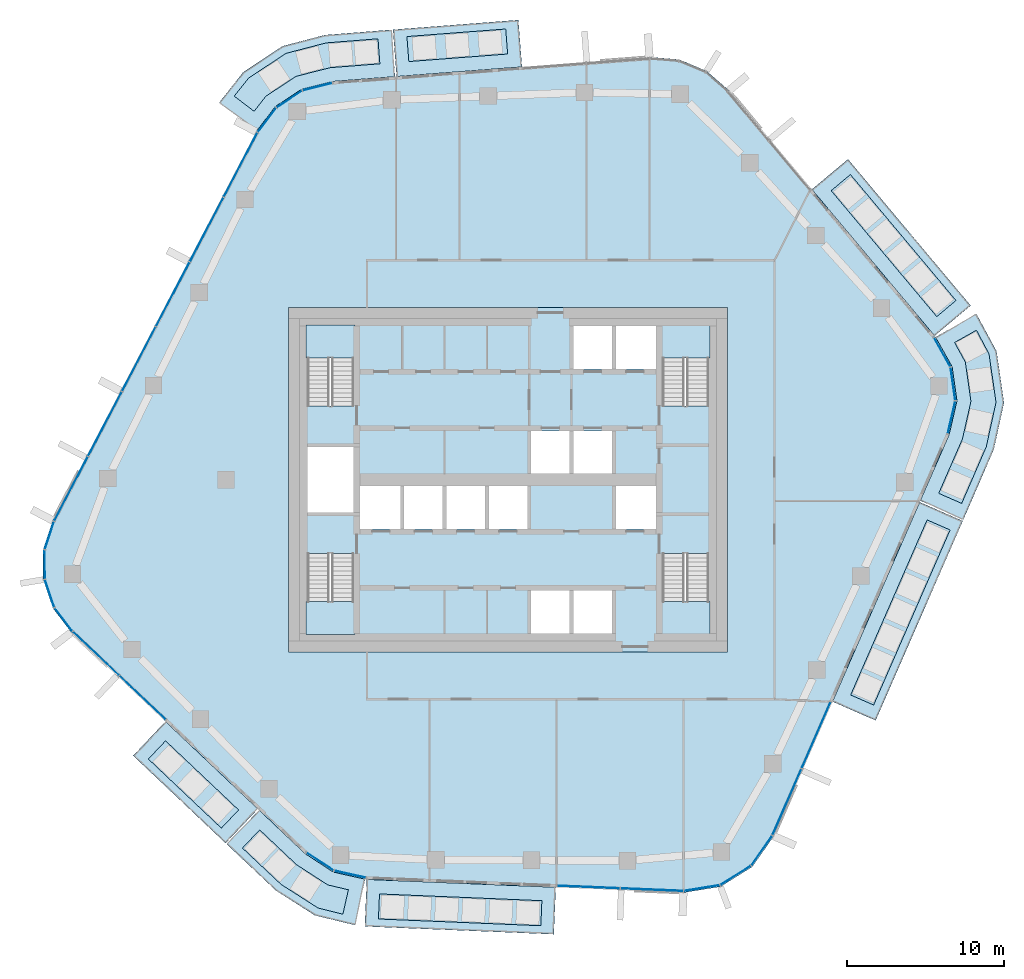
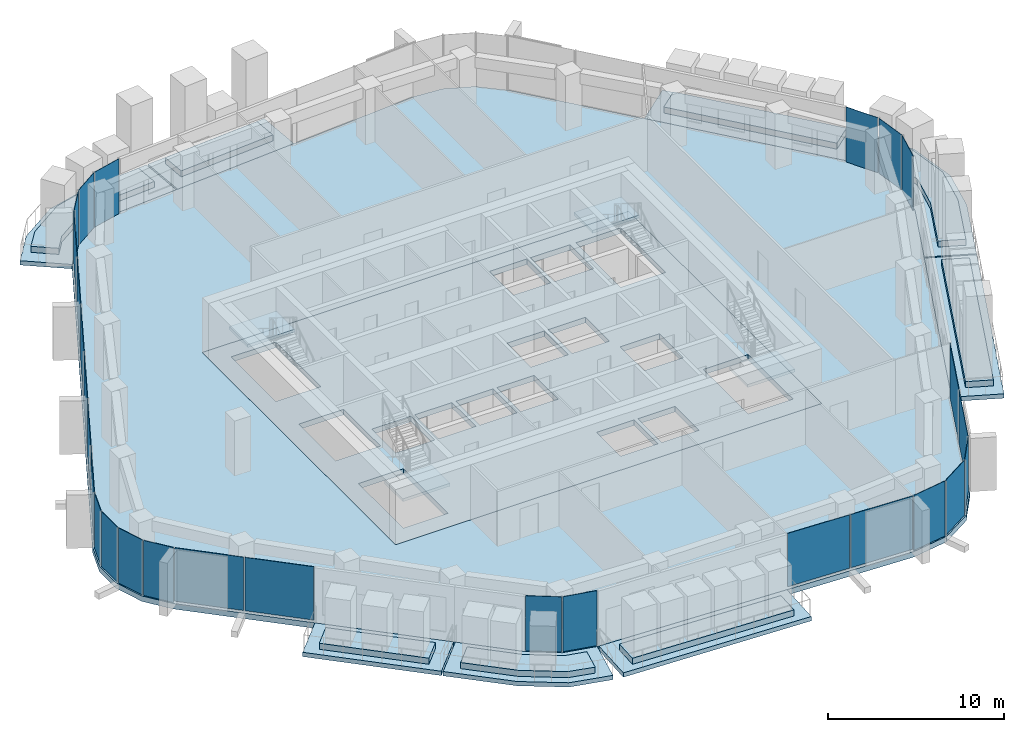
# One storey, part 9 of 20: 27 plates, 22 slabs, 13 elements without a shape of their own.
"""IFC4 building model written with IfcOpenShell, lengths in metres."""

from ifc_helpers import new_model, si_unit, direction, frame, origin, origin_2d, place, context, subcontext, project, spatial, polyline, rectangle, outline, extrude, material, layer, layer_set, type_object, element, aggregate, save


model = new_model("IFC4")

# Units and contexts
model_context = context("Model", 3, precision=1e-05, world=origin(), true_north=direction((0.0, 1.0)))
body_context = subcontext(model_context, "Body", "Model", "MODEL_VIEW")
ifc_project = project(units=[si_unit("LENGTHUNIT", "METRE"), si_unit("AREAUNIT", "SQUARE_METRE"), si_unit("VOLUMEUNIT", "CUBIC_METRE"), si_unit("PLANEANGLEUNIT", "RADIAN"), si_unit("MASSUNIT", "GRAM", prefix="KILO")], contexts=[model_context])

# Site, building, storey
site_placement = place(None, origin())
site = spatial("IfcSite", under=ifc_project, at=site_placement, CompositionType="ELEMENT")
building_placement = place(site_placement, origin())
building = spatial("IfcBuilding", under=site, at=building_placement, Name="Dongbaek Canopy Tower", CompositionType="ELEMENT")
storey_placement = place(building_placement, frame((0.0, 0.0, 249.60009765625)))
storey = spatial("IfcBuildingStorey", under=building, at=storey_placement, Name="L52", CompositionType="ELEMENT", Elevation=249.60009765625)

# Slabs
ifc_material_1 = material(Name="Concrete C40/50", Category="concrete")
ifc_layer_1 = layer(ifc_material_1, 0.300048828125)
ifc_layer_set_1 = layer_set([ifc_layer_1], Name="Balcony slab 300")
slab_type_1 = type_object("IfcSlabType", Name="Balcony slab 300", PredefinedType="FLOOR", material=ifc_layer_set_1)
slab_1_placement = place(storey_placement, frame((0.0, 0.0, -0.300048828125)))
element("IfcSlab", 1, at=slab_1_placement, inside=storey, type_object=slab_type_1, Name="Balcony L52 1", PredefinedType="FLOOR", context=body_context, shape_type="SweptSolid", body=[
    extrude(outline(polyline([(27.212646484375, 9.186279296875), (19.3857421875, 18.523681640625), (21.684814453125, 20.450927734375), (29.51171875, 11.11328125), (27.212646484375, 9.186279296875)])), origin(), (0.0, 0.0, 1.0), 0.300048828125),
])
slab_2_placement = place(storey_placement, frame((0.0, 0.0, -0.300048828125)))
element("IfcSlab", 2, at=slab_2_placement, inside=storey, type_object=slab_type_1, Name="Balcony L52 2", PredefinedType="FLOOR", context=body_context, shape_type="SweptSolid", body=[
    extrude(outline(polyline([(0.887451171875, 26.3408203125), (-7.11083984375, 25.72705078125), (-7.34033203125, 28.71826171875), (0.657958984375, 29.33203125), (0.887451171875, 26.3408203125)])), origin(), (0.0, 0.0, 1.0), 0.300048828125),
])
slab_3_placement = place(storey_placement, frame((0.0, 0.0, -0.300048828125)))
element("IfcSlab", 3, at=slab_3_placement, inside=storey, type_object=slab_type_1, Name="Balcony L52 7", PredefinedType="FLOOR", context=body_context, shape_type="SweptSolid", body=[
    extrude(outline(polyline([(-7.21044921875, 25.719482421875), (-11.209716796875, 25.412353515625), (-13.1640625, 24.92333984375), (-14.84619140625, 23.814697265625), (-16.036376953125, 22.251708984375), (-18.423095703125, 24.069091796875), (-16.89404296875, 26.007080078125), (-14.37060546875, 27.669921875), (-11.6904296875, 28.373779296875), (-7.43994140625, 28.710693359375), (-7.21044921875, 25.719482421875)])), origin(), (0.0, 0.0, 1.0), 0.300048828125),
])
slab_4_placement = place(storey_placement, frame((0.0, 0.0, -0.300048828125)))
element("IfcSlab", 4, at=slab_4_placement, inside=storey, type_object=slab_type_1, Name="Balcony L52 3", PredefinedType="FLOOR", context=body_context, shape_type="SweptSolid", body=[
    extrude(outline(polyline([(-21.855224609375, -15.42236328125), (-15.96044921875, -21.0), (-18.0224609375, -23.17919921875), (-23.917236328125, -17.601318359375), (-21.855224609375, -15.42236328125)])), origin(), (0.0, 0.0, 1.0), 0.300048828125),
])
slab_5_placement = place(storey_placement, frame((0.0, 0.0, -0.300048828125)))
element("IfcSlab", 5, at=slab_5_placement, inside=storey, type_object=slab_type_1, Name="Balcony L52 8", PredefinedType="FLOOR", context=body_context, shape_type="SweptSolid", body=[
    extrude(outline(polyline([(-15.887939453125, -21.06884765625), (-12.9404296875, -23.857666015625), (-11.151123046875, -25.026611328125), (-9.1142578125, -25.4833984375), (-9.770751953125, -28.41064453125), (-12.318359375, -27.790283203125), (-14.79931640625, -26.21240234375), (-17.94970703125, -23.247802734375), (-15.887939453125, -21.06884765625)])), origin(), (0.0, 0.0, 1.0), 0.300048828125),
])
slab_6_placement = place(storey_placement, frame((0.0, 0.0, -0.300048828125)))
element("IfcSlab", 6, at=slab_6_placement, inside=storey, type_object=slab_type_1, Name="Balcony L52 4", PredefinedType="FLOOR", context=body_context, shape_type="SweptSolid", body=[
    extrude(outline(polyline([(-9.015625, -25.496337890625), (3.043701171875, -25.9970703125), (2.91943359375, -28.994384765625), (-9.14013671875, -28.493896484375), (-9.015625, -25.496337890625)])), origin(), (0.0, 0.0, 1.0), 0.300048828125),
])
slab_7_placement = place(storey_placement, frame((0.0, 0.0, -0.300048828125)))
element("IfcSlab", 7, at=slab_7_placement, inside=storey, type_object=slab_type_1, Name="Balcony L52 5", PredefinedType="FLOOR", context=body_context, shape_type="SweptSolid", body=[
    extrude(outline(polyline([(20.69970703125, -14.152099609375), (26.258544921875, -1.426513671875), (29.007568359375, -2.62744140625), (23.448974609375, -15.352783203125), (20.69970703125, -14.152099609375)])), origin(), (0.0, 0.0, 1.0), 0.300048828125),
])
slab_8_placement = place(storey_placement, frame((0.0, 0.0, -0.300048828125)))
element("IfcSlab", 8, at=slab_8_placement, inside=storey, type_object=slab_type_1, Name="Balcony L52 6", PredefinedType="FLOOR", context=body_context, shape_type="SweptSolid", body=[
    extrude(outline(polyline([(26.298583984375, -1.334716796875), (28.144775390625, 2.891845703125), (28.64111328125, 5.04150390625), (28.326904296875, 7.225341796875), (27.269287109375, 9.104248046875), (29.883544921875, 10.575927734375), (31.167236328125, 8.191162109375), (31.638427734375, 4.91552734375), (30.9931640625, 1.94970703125), (29.047607421875, -2.53564453125), (26.298583984375, -1.334716796875)])), origin(), (0.0, 0.0, 1.0), 0.300048828125),
])

# Curtain wall, plates
ifc_material_2 = material(Name="Aluminium 6063-T6 pale anodised", Category="aluminium")
ifc_layer_2 = layer(ifc_material_2, 0.199951171875)
ifc_layer_set_2 = layer_set([ifc_layer_2], Name="CW-1 unitised tower curtain wall")
curtain_wall_type = type_object("IfcCurtainWallType", Name="CW-1 unitised tower curtain wall", PredefinedType="NOTDEFINED", material=ifc_layer_set_2)
curtain_wall_1_placement = place(storey_placement, origin())
curtain_wall_1 = element("IfcCurtainWall", 9, at=curtain_wall_1_placement, inside=storey, type_object=curtain_wall_type, Name="CW-1 curtain wall K0.1", PredefinedType="NOTDEFINED")
ifc_material_3 = material(Name="Clear laminated glass", Category="glass")
ifc_layer_3 = layer(ifc_material_3, 0.028076171875)
ifc_layer_set_3 = layer_set([ifc_layer_3], Name="CW-1 glazed panel 28")
plate_type = type_object("IfcPlateType", Name="CW-1 glazed panel 28", PredefinedType="CURTAIN_PANEL", material=ifc_layer_set_3)
plate_1_placement = place(storey_placement, frame((28.29443359375, 3.984619140625, 0.0), z_axis=(0.0, 0.0, 1.0), x_axis=(0.224987160304, 0.974361728363, 0.0)))
plate_1 = element("IfcPlate", 10, at=plate_1_placement, type_object=plate_type, Name="CW-1 panel K0.1.1.1", PredefinedType="CURTAIN_PANEL", context=body_context, shape_type="SweptSolid", body=[
    extrude(rectangle(XDim=2.09423828125, YDim=0.028076171875, at=origin_2d()), origin(), (0.0, 0.0, 1.0), 3.820068359375),
])
plate_2_placement = place(storey_placement, frame((28.385009765625, 6.119140625, 0.0), z_axis=(0.0, 0.0, 1.0), x_axis=(-0.142403079882, 0.989808750638, 0.0)))
plate_2 = element("IfcPlate", 11, at=plate_2_placement, type_object=plate_type, Name="CW-1 panel K0.1.2.1", PredefinedType="CURTAIN_PANEL", context=body_context, shape_type="SweptSolid", body=[
    extrude(rectangle(XDim=2.0849609375, YDim=0.028076171875, at=origin_2d()), origin(), (0.0, 0.0, 1.0), 3.820068359375),
])
plate_3_placement = place(storey_placement, frame((27.6962890625, 8.1416015625, 0.0), z_axis=(0.0, 0.0, 1.0), x_axis=(-0.490538401675, 0.871419575453, 0.0)))
plate_3 = element("IfcPlate", 12, at=plate_3_placement, type_object=plate_type, Name="CW-1 panel K0.1.3.1", PredefinedType="CURTAIN_PANEL", context=body_context, shape_type="SweptSolid", body=[
    extrude(rectangle(XDim=2.09423828125, YDim=0.028076171875, at=origin_2d()), origin(), (0.0, 0.0, 1.0), 3.820068359375),
])
aggregate(curtain_wall_1, [plate_1, plate_2, plate_3])

curtain_wall_2_placement = place(storey_placement, origin())
curtain_wall_2 = element("IfcCurtainWall", 13, at=curtain_wall_2_placement, inside=storey, type_object=curtain_wall_type, Name="CW-1 curtain wall K2.1", PredefinedType="NOTDEFINED")
plate_4_placement = place(storey_placement, frame((-12.158447265625, 25.072021484375, 0.0), z_axis=(0.0, 0.0, 1.0), x_axis=(-0.970070460405, -0.242823602331, 0.0)))
plate_4 = element("IfcPlate", 14, at=plate_4_placement, type_object=plate_type, Name="CW-1 panel K2.1.1.1", PredefinedType="CURTAIN_PANEL", context=body_context, shape_type="SweptSolid", body=[
    extrude(rectangle(XDim=1.905029296875, YDim=0.028076171875, at=origin_2d()), origin(), (0.0, 0.0, 1.0), 3.820068359375),
])
plate_5_placement = place(storey_placement, frame((-13.949951171875, 24.28564453125, 0.0), z_axis=(0.0, 0.0, 1.0), x_axis=(-0.835012797556, -0.550230522525, 0.0)))
plate_5 = element("IfcPlate", 15, at=plate_5_placement, type_object=plate_type, Name="CW-1 panel K2.1.2.1", PredefinedType="CURTAIN_PANEL", context=body_context, shape_type="SweptSolid", body=[
    extrude(rectangle(XDim=1.896484375, YDim=0.028076171875, at=origin_2d()), origin(), (0.0, 0.0, 1.0), 3.820068359375),
])
plate_6_placement = place(storey_placement, frame((-15.37939453125, 22.949462890625, 0.0), z_axis=(0.0, 0.0, 1.0), x_axis=(-0.605816136858, -0.795604680933, 0.0)))
plate_6 = element("IfcPlate", 16, at=plate_6_placement, type_object=plate_type, Name="CW-1 panel K2.1.3.1", PredefinedType="CURTAIN_PANEL", context=body_context, shape_type="SweptSolid", body=[
    extrude(rectangle(XDim=1.905029296875, YDim=0.028076171875, at=origin_2d()), origin(), (0.0, 0.0, 1.0), 3.820068359375),
])
aggregate(curtain_wall_2, [plate_4, plate_5, plate_6])

curtain_wall_3_placement = place(storey_placement, origin())
curtain_wall_3 = element("IfcCurtainWall", 17, at=curtain_wall_3_placement, inside=storey, type_object=curtain_wall_type, Name="CW-1 curtain wall F2.1", PredefinedType="NOTDEFINED")
plate_7_placement = place(storey_placement, frame((-17.06201171875, 20.093994140625, 0.1201171875), z_axis=(0.0, 0.0, 1.0), x_axis=(-0.463648721803, -0.886019109709, 0.0)))
plate_7 = element("IfcPlate", 18, at=plate_7_placement, type_object=plate_type, Name="CW-1 panel F2.1.1.1", PredefinedType="CURTAIN_PANEL", context=body_context, shape_type="SweptSolid", body=[
    extrude(rectangle(XDim=4.5751953125, YDim=0.028076171875, at=origin_2d()), origin(), (0.0, 0.0, 1.0), 3.699951171875),
])
plate_8_placement = place(storey_placement, frame((-19.22412109375, 15.962158203125, 0.1201171875), z_axis=(0.0, 0.0, 1.0), x_axis=(-0.463648721803, -0.886019109709, 0.0)))
plate_8 = element("IfcPlate", 19, at=plate_8_placement, type_object=plate_type, Name="CW-1 panel F2.1.2.1", PredefinedType="CURTAIN_PANEL", context=body_context, shape_type="SweptSolid", body=[
    extrude(rectangle(XDim=4.58349609375, YDim=0.028076171875, at=origin_2d()), origin(), (0.0, 0.0, 1.0), 3.699951171875),
])
plate_9_placement = place(storey_placement, frame((-21.388427734375, 11.82666015625, 0.1201171875), z_axis=(0.0, 0.0, 1.0), x_axis=(-0.463648721803, -0.886019109709, 0.0)))
plate_9 = element("IfcPlate", 20, at=plate_9_placement, type_object=plate_type, Name="CW-1 panel F2.1.3.1", PredefinedType="CURTAIN_PANEL", context=body_context, shape_type="SweptSolid", body=[
    extrude(rectangle(XDim=4.58349609375, YDim=0.028076171875, at=origin_2d()), origin(), (0.0, 0.0, 1.0), 3.699951171875),
])
plate_10_placement = place(storey_placement, frame((-23.552490234375, 7.691162109375, 0.1201171875), z_axis=(0.0, 0.0, 1.0), x_axis=(-0.463648721803, -0.886019109709, 0.0)))
plate_10 = element("IfcPlate", 21, at=plate_10_placement, type_object=plate_type, Name="CW-1 panel F2.1.4.1", PredefinedType="CURTAIN_PANEL", context=body_context, shape_type="SweptSolid", body=[
    extrude(rectangle(XDim=4.58349609375, YDim=0.028076171875, at=origin_2d()), origin(), (0.0, 0.0, 1.0), 3.699951171875),
])
plate_11_placement = place(storey_placement, frame((-25.716552734375, 3.5556640625, 0.1201171875), z_axis=(0.0, 0.0, 1.0), x_axis=(-0.463648721803, -0.886019109709, 0.0)))
plate_11 = element("IfcPlate", 22, at=plate_11_placement, type_object=plate_type, Name="CW-1 panel F2.1.5.1", PredefinedType="CURTAIN_PANEL", context=body_context, shape_type="SweptSolid", body=[
    extrude(rectangle(XDim=4.58349609375, YDim=0.028076171875, at=origin_2d()), origin(), (0.0, 0.0, 1.0), 3.699951171875),
])
plate_12_placement = place(storey_placement, frame((-27.87890625, -0.576416015625, 0.1201171875), z_axis=(0.0, 0.0, 1.0), x_axis=(-0.463648721803, -0.886019109709, 0.0)))
plate_12 = element("IfcPlate", 23, at=plate_12_placement, type_object=plate_type, Name="CW-1 panel F2.1.6.1", PredefinedType="CURTAIN_PANEL", context=body_context, shape_type="SweptSolid", body=[
    extrude(rectangle(XDim=4.575439453125, YDim=0.028076171875, at=origin_2d()), origin(), (0.0, 0.0, 1.0), 3.699951171875),
])
aggregate(curtain_wall_3, [plate_7, plate_8, plate_9, plate_10, plate_11, plate_12])

curtain_wall_4_placement = place(storey_placement, origin())
curtain_wall_4 = element("IfcCurtainWall", 24, at=curtain_wall_4_placement, inside=storey, type_object=curtain_wall_type, Name="CW-1 curtain wall K3.1", PredefinedType="NOTDEFINED")
plate_13_placement = place(storey_placement, frame((-29.259521484375, -3.546875, 0.0), z_axis=(0.0, 0.0, 1.0), x_axis=(-0.314772787668, -0.949167051758, 0.0)))
plate_13 = element("IfcPlate", 25, at=plate_13_placement, type_object=plate_type, Name="CW-1 panel K3.1.1.1", PredefinedType="CURTAIN_PANEL", context=body_context, shape_type="SweptSolid", body=[
    extrude(rectangle(XDim=1.82568359375, YDim=0.028076171875, at=origin_2d()), origin(), (0.0, 0.0, 1.0), 3.820068359375),
])
plate_14_placement = place(storey_placement, frame((-29.556640625, -5.404052734375, 0.0), z_axis=(0.0, 0.0, 1.0), x_axis=(0.003565980648, -0.999993641871, 0.0)))
plate_14 = element("IfcPlate", 26, at=plate_14_placement, type_object=plate_type, Name="CW-1 panel K3.1.2.1", PredefinedType="CURTAIN_PANEL", context=body_context, shape_type="SweptSolid", body=[
    extrude(rectangle(XDim=1.817626953125, YDim=0.028076171875, at=origin_2d()), origin(), (0.0, 0.0, 1.0), 3.820068359375),
])
plate_15_placement = place(storey_placement, frame((-29.24755859375, -7.255126953125, 0.0), z_axis=(0.0, 0.0, 1.0), x_axis=(0.321534161849, -0.946897979068, 0.0)))
plate_15 = element("IfcPlate", 27, at=plate_15_placement, type_object=plate_type, Name="CW-1 panel K3.1.3.1", PredefinedType="CURTAIN_PANEL", context=body_context, shape_type="SweptSolid", body=[
    extrude(rectangle(XDim=1.817626953125, YDim=0.028076171875, at=origin_2d()), origin(), (0.0, 0.0, 1.0), 3.820068359375),
])
plate_16_placement = place(storey_placement, frame((-28.36328125, -8.914794921875, 0.0), z_axis=(0.0, 0.0, 1.0), x_axis=(0.606087576122, -0.795397919328, 0.0)))
plate_16 = element("IfcPlate", 28, at=plate_16_placement, type_object=plate_type, Name="CW-1 panel K3.1.4.1", PredefinedType="CURTAIN_PANEL", context=body_context, shape_type="SweptSolid", body=[
    extrude(rectangle(XDim=1.82568359375, YDim=0.028076171875, at=origin_2d()), origin(), (0.0, 0.0, 1.0), 3.820068359375),
])
aggregate(curtain_wall_4, [plate_13, plate_14, plate_15, plate_16])

curtain_wall_5_placement = place(storey_placement, origin())
curtain_wall_5 = element("IfcCurtainWall", 29, at=curtain_wall_5_placement, inside=storey, type_object=curtain_wall_type, Name="CW-1 curtain wall F3.1", PredefinedType="NOTDEFINED")
plate_17_placement = place(storey_placement, frame((-26.29541015625, -11.083251953125, 0.1201171875), z_axis=(0.0, 0.0, 1.0), x_axis=(0.72636898402, -0.687304953463, 0.0)))
plate_17 = element("IfcPlate", 30, at=plate_17_placement, type_object=plate_type, Name="CW-1 panel F3.1.1.1", PredefinedType="CURTAIN_PANEL", context=body_context, shape_type="SweptSolid", body=[
    extrude(rectangle(XDim=4.015625, YDim=0.028076171875, at=origin_2d()), origin(), (0.0, 0.0, 1.0), 3.699951171875),
])
plate_18_placement = place(storey_placement, frame((-23.314697265625, -13.903564453125, 0.1201171875), z_axis=(0.0, 0.0, 1.0), x_axis=(0.72636898402, -0.687304953463, 0.0)))
plate_18 = element("IfcPlate", 31, at=plate_18_placement, type_object=plate_type, Name="CW-1 panel F3.1.2.1", PredefinedType="CURTAIN_PANEL", context=body_context, shape_type="SweptSolid", body=[
    extrude(rectangle(XDim=4.023681640625, YDim=0.028076171875, at=origin_2d()), origin(), (0.0, 0.0, 1.0), 3.699951171875),
])
aggregate(curtain_wall_5, [plate_17, plate_18])

curtain_wall_6_placement = place(storey_placement, origin())
curtain_wall_6 = element("IfcCurtainWall", 32, at=curtain_wall_6_placement, inside=storey, type_object=curtain_wall_type, Name="CW-1 curtain wall K4.1", PredefinedType="NOTDEFINED")
plate_19_placement = place(storey_placement, frame((-11.994873046875, -24.35595703125, 0.0), z_axis=(0.0, 0.0, 1.0), x_axis=(0.837173027696, -0.546938133338, 0.0)))
plate_19 = element("IfcPlate", 33, at=plate_19_placement, type_object=plate_type, Name="CW-1 panel K4.1.1.1", PredefinedType="CURTAIN_PANEL", context=body_context, shape_type="SweptSolid", body=[
    extrude(rectangle(XDim=2.0263671875, YDim=0.028076171875, at=origin_2d()), origin(), (0.0, 0.0, 1.0), 3.820068359375),
])
plate_20_placement = place(storey_placement, frame((-10.08203125, -25.163818359375, 0.0), z_axis=(0.0, 0.0, 1.0), x_axis=(0.975774438515, -0.218778986972, 0.0)))
plate_20 = element("IfcPlate", 34, at=plate_20_placement, type_object=plate_type, Name="CW-1 panel K4.1.2.1", PredefinedType="CURTAIN_PANEL", context=body_context, shape_type="SweptSolid", body=[
    extrude(rectangle(XDim=2.0263671875, YDim=0.028076171875, at=origin_2d()), origin(), (0.0, 0.0, 1.0), 3.820068359375),
])
aggregate(curtain_wall_6, [plate_19, plate_20])

curtain_wall_7_placement = place(storey_placement, origin())
curtain_wall_7 = element("IfcCurtainWall", 35, at=curtain_wall_7_placement, inside=storey, type_object=curtain_wall_type, Name="CW-1 curtain wall F4.1", PredefinedType="NOTDEFINED")
plate_21_placement = place(storey_placement, frame((5.12451171875, -25.9833984375, 0.1201171875), z_axis=(0.0, 0.0, 1.0), x_axis=(0.999139279832, -0.041481315027, 0.0)))
plate_21 = element("IfcPlate", 36, at=plate_21_placement, type_object=plate_type, Name="CW-1 panel F4.1.1.1", PredefinedType="CURTAIN_PANEL", context=body_context, shape_type="SweptSolid", body=[
    extrude(rectangle(XDim=3.97265625, YDim=0.028076171875, at=origin_2d()), origin(), (0.0, 0.0, 1.0), 3.699951171875),
])
plate_22_placement = place(storey_placement, frame((9.172607421875, -26.1513671875, 0.1201171875), z_axis=(0.0, 0.0, 1.0), x_axis=(0.999139279832, -0.041481315027, 0.0)))
plate_22 = element("IfcPlate", 37, at=plate_22_placement, type_object=plate_type, Name="CW-1 panel F4.1.2.1", PredefinedType="CURTAIN_PANEL", context=body_context, shape_type="SweptSolid", body=[
    extrude(rectangle(XDim=3.962646484375, YDim=0.028076171875, at=origin_2d()), origin(), (0.0, 0.0, 1.0), 3.699951171875),
])
aggregate(curtain_wall_7, [plate_21, plate_22])

curtain_wall_8_placement = place(storey_placement, origin())
curtain_wall_8 = element("IfcCurtainWall", 38, at=curtain_wall_8_placement, inside=storey, type_object=curtain_wall_type, Name="CW-1 curtain wall K5.1", PredefinedType="NOTDEFINED")
plate_23_placement = place(storey_placement, frame((12.356689453125, -26.04931640625, 0.0), z_axis=(0.0, 0.0, 1.0), x_axis=(0.987452229551, 0.157917998831, 0.0)))
plate_23 = element("IfcPlate", 39, at=plate_23_placement, type_object=plate_type, Name="CW-1 panel K5.1.1.1", PredefinedType="CURTAIN_PANEL", context=body_context, shape_type="SweptSolid", body=[
    extrude(rectangle(XDim=2.2705078125, YDim=0.028076171875, at=origin_2d()), origin(), (0.0, 0.0, 1.0), 3.820068359375),
])
plate_24_placement = place(storey_placement, frame((14.51318359375, -25.2421875, 0.0), z_axis=(0.0, 0.0, 1.0), x_axis=(0.847927997498, 0.530111413817, 0.0)))
plate_24 = element("IfcPlate", 40, at=plate_24_placement, type_object=plate_type, Name="CW-1 panel K5.1.2.1", PredefinedType="CURTAIN_PANEL", context=body_context, shape_type="SweptSolid", body=[
    extrude(rectangle(XDim=2.26025390625, YDim=0.028076171875, at=origin_2d()), origin(), (0.0, 0.0, 1.0), 3.820068359375),
])
plate_25_placement = place(storey_placement, frame((16.183349609375, -23.656982421875, 0.0), z_axis=(0.0, 0.0, 1.0), x_axis=(0.574435424311, 0.818549902753, 0.0)))
plate_25 = element("IfcPlate", 41, at=plate_25_placement, type_object=plate_type, Name="CW-1 panel K5.1.3.1", PredefinedType="CURTAIN_PANEL", context=body_context, shape_type="SweptSolid", body=[
    extrude(rectangle(XDim=2.2705078125, YDim=0.028076171875, at=origin_2d()), origin(), (0.0, 0.0, 1.0), 3.820068359375),
])
aggregate(curtain_wall_8, [plate_23, plate_24, plate_25])

curtain_wall_9_placement = place(storey_placement, origin())
curtain_wall_9 = element("IfcCurtainWall", 42, at=curtain_wall_9_placement, inside=storey, type_object=curtain_wall_type, Name="CW-1 curtain wall F5.1", PredefinedType="NOTDEFINED")
plate_26_placement = place(storey_placement, frame((17.790771484375, -20.561767578125, 0.1201171875), z_axis=(0.0, 0.0, 1.0), x_axis=(0.400295417584, 0.9163861515, 0.0)))
plate_26 = element("IfcPlate", 43, at=plate_26_placement, type_object=plate_type, Name="CW-1 panel F5.1.1.1", PredefinedType="CURTAIN_PANEL", context=body_context, shape_type="SweptSolid", body=[
    extrude(rectangle(XDim=4.568115234375, YDim=0.028076171875, at=origin_2d()), origin(), (0.0, 0.0, 1.0), 3.699951171875),
])
plate_27_placement = place(storey_placement, frame((19.655029296875, -16.2939453125, 0.1201171875), z_axis=(0.0, 0.0, 1.0), x_axis=(0.400295417584, 0.9163861515, 0.0)))
plate_27 = element("IfcPlate", 44, at=plate_27_placement, type_object=plate_type, Name="CW-1 panel F5.1.2.1", PredefinedType="CURTAIN_PANEL", context=body_context, shape_type="SweptSolid", body=[
    extrude(rectangle(XDim=4.578125, YDim=0.028076171875, at=origin_2d()), origin(), (0.0, 0.0, 1.0), 3.699951171875),
])
aggregate(curtain_wall_9, [plate_26, plate_27])

# Slab
ifc_material_4 = material(Name="Concrete C40/50", Category="concrete")
ifc_layer_4 = layer(ifc_material_4, 0.3798828125)
ifc_layer_set_4 = layer_set([ifc_layer_4], Name="Core floor slab 380 Concrete C40/50")
slab_type_2 = type_object("IfcSlabType", Name="Core floor slab 380 Concrete C40/50", PredefinedType="FLOOR", material=ifc_layer_set_4)
slab_9_placement = place(storey_placement, frame((0.0, 0.0, -0.380126953125)))
element("IfcSlab", 45, at=slab_9_placement, inside=storey, type_object=slab_type_2, Name="Core floor slab L52", PredefinedType="FLOOR", context=body_context, shape_type="SweptSolid", body=[
    extrude(outline(polyline([(14.0, -11.0), (14.0, 11.0), (-14.0, 11.0), (-14.0, -11.0), (14.0, -11.0)]), holes=[polyline([(-12.800048828125, 2.10009765625), (-9.85009765625, 2.10009765625), (-9.85009765625, -2.10009765625), (-12.800048828125, -2.10009765625), (-12.800048828125, 2.10009765625)]), polyline([(6.625, 9.800048828125), (6.625, 7.074951171875), (4.175048828125, 7.074951171875), (4.175048828125, 9.800048828125), (6.625, 9.800048828125)]), polyline([(9.449951171875, 7.074951171875), (6.875, 7.074951171875), (6.875, 9.800048828125), (9.449951171875, 9.800048828125), (9.449951171875, 7.074951171875)]), polyline([(1.47509765625, 0.39990234375), (1.47509765625, 3.125), (3.925048828125, 3.125), (3.925048828125, 0.39990234375), (1.47509765625, 0.39990234375)]), polyline([(4.175048828125, 0.39990234375), (4.175048828125, 3.125), (6.625, 3.125), (6.625, 0.39990234375), (4.175048828125, 0.39990234375)]), polyline([(-9.449951171875, -0.39990234375), (-6.875, -0.39990234375), (-6.875, -3.125), (-9.449951171875, -3.125), (-9.449951171875, -0.39990234375)]), polyline([(-6.625, -3.125), (-6.625, -0.39990234375), (-4.175048828125, -0.39990234375), (-4.175048828125, -3.125), (-6.625, -3.125)]), polyline([(-3.925048828125, -3.125), (-3.925048828125, -0.39990234375), (-1.47509765625, -0.39990234375), (-1.47509765625, -3.125), (-3.925048828125, -3.125)]), polyline([(-1.22509765625, -3.125), (-1.22509765625, -0.39990234375), (1.22509765625, -0.39990234375), (1.22509765625, -3.125), (-1.22509765625, -3.125)]), polyline([(9.449951171875, -3.125), (6.875, -3.125), (6.875, -0.39990234375), (9.449951171875, -0.39990234375), (9.449951171875, -3.125)]), polyline([(1.47509765625, -9.800048828125), (1.47509765625, -7.074951171875), (3.925048828125, -7.074951171875), (3.925048828125, -9.800048828125), (1.47509765625, -9.800048828125)]), polyline([(4.175048828125, -9.800048828125), (4.175048828125, -7.074951171875), (6.625, -7.074951171875), (6.625, -9.800048828125), (4.175048828125, -9.800048828125)]), polyline([(12.800048828125, 4.70068359375), (12.800048828125, 9.800048828125), (9.85009765625, 9.800048828125), (9.85009765625, 4.70068359375), (12.800048828125, 4.70068359375)]), polyline([(-9.85009765625, 4.70068359375), (-9.85009765625, 9.800048828125), (-12.800048828125, 9.800048828125), (-12.800048828125, 4.70068359375), (-9.85009765625, 4.70068359375)]), polyline([(9.85009765625, -4.70068359375), (9.85009765625, -9.800048828125), (12.800048828125, -9.800048828125), (12.800048828125, -4.70068359375), (9.85009765625, -4.70068359375)]), polyline([(-12.800048828125, -4.70068359375), (-12.800048828125, -9.800048828125), (-9.85009765625, -9.800048828125), (-9.85009765625, -4.70068359375), (-12.800048828125, -4.70068359375)])]), origin(), (0.0, 0.0, 1.0), 0.380126953125),
])

# Stair, slab
ifc_material_5 = material(Name="Concrete C40/50", Category="concrete")
stair_type = type_object("IfcStairType", Name="Core exit stair", PredefinedType="HALF_TURN_STAIR", material=ifc_material_5)
stair_1_placement = place(storey_placement, origin())
stair_1 = element("IfcStair", 46, at=stair_1_placement, inside=storey, type_object=stair_type, Name="L52 exit stair A", PredefinedType="HALF_TURN_STAIR")
ifc_material_6 = material(Name="Concrete C40/50", Category="concrete")
ifc_layer_5 = layer(ifc_material_6, 0.199951171875)
ifc_layer_set_5 = layer_set([ifc_layer_5], Name="Core stair landing 200")
slab_type_3 = type_object("IfcSlabType", Name="Core stair landing 200", PredefinedType="LANDING", material=ifc_layer_set_5)
slab_10_placement = place(storey_placement, frame((0.0, 0.0, 1.89990234375)))
slab_10 = element("IfcSlab", 47, at=slab_10_placement, type_object=slab_type_3, Name="ST-A landing 1", PredefinedType="LANDING", context=body_context, shape_type="SweptSolid", body=[
    extrude(outline(polyline([(12.875, 7.780029296875), (12.875, 9.875), (9.77490234375, 9.875), (9.77490234375, 7.780029296875), (12.875, 7.780029296875)])), origin(), (0.0, 0.0, 1.0), 0.199951171875),
])
aggregate(stair_1, [slab_10])

stair_2_placement = place(storey_placement, origin())
stair_2 = element("IfcStair", 48, at=stair_2_placement, inside=storey, type_object=stair_type, Name="L52 exit stair C", PredefinedType="HALF_TURN_STAIR")
slab_11_placement = place(storey_placement, frame((0.0, 0.0, 1.89990234375)))
slab_11 = element("IfcSlab", 49, at=slab_11_placement, type_object=slab_type_3, Name="ST-C landing 1", PredefinedType="LANDING", context=body_context, shape_type="SweptSolid", body=[
    extrude(outline(polyline([(-9.77490234375, 7.780029296875), (-9.77490234375, 9.875), (-12.875, 9.875), (-12.875, 7.780029296875), (-9.77490234375, 7.780029296875)])), origin(), (0.0, 0.0, 1.0), 0.199951171875),
])
aggregate(stair_2, [slab_11])

stair_3_placement = place(storey_placement, origin())
stair_3 = element("IfcStair", 50, at=stair_3_placement, inside=storey, type_object=stair_type, Name="L52 exit stair B", PredefinedType="HALF_TURN_STAIR")
slab_12_placement = place(storey_placement, frame((0.0, 0.0, 1.89990234375)))
slab_12 = element("IfcSlab", 51, at=slab_12_placement, type_object=slab_type_3, Name="ST-B landing 1", PredefinedType="LANDING", context=body_context, shape_type="SweptSolid", body=[
    extrude(outline(polyline([(9.77490234375, -7.780029296875), (9.77490234375, -9.875), (12.875, -9.875), (12.875, -7.780029296875), (9.77490234375, -7.780029296875)])), origin(), (0.0, 0.0, 1.0), 0.199951171875),
])
aggregate(stair_3, [slab_12])

stair_4_placement = place(storey_placement, origin())
stair_4 = element("IfcStair", 52, at=stair_4_placement, inside=storey, type_object=stair_type, Name="L52 exit stair D", PredefinedType="HALF_TURN_STAIR")
slab_13_placement = place(storey_placement, frame((0.0, 0.0, 1.89990234375)))
slab_13 = element("IfcSlab", 53, at=slab_13_placement, type_object=slab_type_3, Name="ST-D landing 1", PredefinedType="LANDING", context=body_context, shape_type="SweptSolid", body=[
    extrude(outline(polyline([(-12.875, -7.780029296875), (-12.875, -9.875), (-9.77490234375, -9.875), (-9.77490234375, -7.780029296875), (-12.875, -7.780029296875)])), origin(), (0.0, 0.0, 1.0), 0.199951171875),
])
aggregate(stair_4, [slab_13])

# Slabs
ifc_material_7 = material(Name="Concrete C40", Category="concrete")
ifc_layer_6 = layer(ifc_material_7, 0.3798828125)
ifc_layer_set_6 = layer_set([ifc_layer_6], Name="RC FLAT PLATE 380 Concrete C40")
slab_type_4 = type_object("IfcSlabType", Name="RC FLAT PLATE 380 Concrete C40", PredefinedType="FLOOR", material=ifc_layer_set_6)
slab_14_placement = place(storey_placement, frame((0.0, 0.0, -0.380126953125)))
element("IfcSlab", 54, at=slab_14_placement, inside=storey, type_object=slab_type_4, Name="SLAB:L52", PredefinedType="FLOOR", context=body_context, shape_type="SweptSolid", body=[
    extrude(outline(polyline([(16.947265625, -22.74267578125), (15.5771484375, -24.69482421875), (13.554931640625, -25.958984375), (11.199951171875, -26.335693359375), (-9.065673828125, -25.494384765625), (-11.151123046875, -25.026611328125), (-12.9404296875, -23.857666015625), (-27.85888671875, -9.741455078125), (-29.03125, -8.202880859375), (-29.6533203125, -6.37158203125), (-29.66015625, -4.437255859375), (-29.05126953125, -2.601318359375), (-16.066650390625, 22.2119140625), (-14.84619140625, 23.814697265625), (-13.1640625, 24.92333984375), (-11.209716796875, 25.41259765625), (9.035400390625, 26.966064453125), (10.9208984375, 26.811767578125), (12.664306640625, 26.078125), (14.0927734375, 24.838134765625), (27.24462890625, 9.14794921875), (28.326904296875, 7.225341796875), (28.64111328125, 5.04150390625), (28.144775390625, 2.891845703125), (16.947265625, -22.74267578125)]), holes=[polyline([(14.0, 11.0), (-14.0, 11.0), (-14.0, -11.0), (14.0, -11.0), (14.0, 11.0)])]), origin(), (0.0, 0.0, 1.0), 0.380126953125),
])
ifc_material_8 = material(Name="Reinforced concrete C40/50 planter box with soil", Category="concrete")
ifc_layer_7 = layer(ifc_material_8, 0.419921875)
ifc_layer_set_7 = layer_set([ifc_layer_7], Name="Terrace planter box 1600 x 420")
slab_type_5 = type_object("IfcSlabType", Name="Terrace planter box 1600 x 420", PredefinedType="USERDEFINED", material=ifc_layer_set_7)
slab_15_placement = place(storey_placement, origin())
element("IfcSlab", 55, at=slab_15_placement, inside=storey, type_object=slab_type_5, Name="Balcony planter L52 1", ObjectType="PLANTER", PredefinedType="USERDEFINED", context=body_context, shape_type="SweptSolid", body=[
    extrude(outline(polyline([(27.3486328125, 10.409423828125), (20.61376953125, 18.444091796875), (21.840087890625, 19.471923828125), (28.57470703125, 11.437255859375), (27.3486328125, 10.409423828125)])), origin(), (0.0, 0.0, 1.0), 0.419921875),
])
slab_16_placement = place(storey_placement, origin())
element("IfcSlab", 56, at=slab_16_placement, inside=storey, type_object=slab_type_5, Name="Balcony planter L52 2", ObjectType="PLANTER", PredefinedType="USERDEFINED", context=body_context, shape_type="SweptSolid", body=[
    extrude(outline(polyline([(-0.028076171875, 27.1630859375), (-6.331298828125, 26.679443359375), (-6.453857421875, 28.274658203125), (-0.150390625, 28.758544921875), (-0.028076171875, 27.1630859375)])), origin(), (0.0, 0.0, 1.0), 0.419921875),
])
slab_17_placement = place(storey_placement, origin())
element("IfcSlab", 57, at=slab_17_placement, inside=storey, type_object=slab_type_5, Name="Balcony planter L52 7", ObjectType="PLANTER", PredefinedType="USERDEFINED", context=body_context, shape_type="SweptSolid", body=[
    extrude(outline(polyline([(-8.176025390625, 26.537841796875), (-11.352294921875, 26.291015625), (-13.52197265625, 25.738037109375), (-15.45361328125, 24.465087890625), (-16.19921875, 23.5068359375), (-17.47216796875, 24.476318359375), (-16.5458984375, 25.634521484375), (-14.16552734375, 27.202880859375), (-11.608642578125, 27.870361328125), (-8.29833984375, 28.13330078125), (-8.176025390625, 26.537841796875)])), origin(), (0.0, 0.0, 1.0), 0.419921875),
])
slab_18_placement = place(storey_placement, origin())
element("IfcSlab", 58, at=slab_18_placement, inside=storey, type_object=slab_type_5, Name="Balcony planter L52 3", ObjectType="PLANTER", PredefinedType="USERDEFINED", context=body_context, shape_type="SweptSolid", body=[
    extrude(outline(polyline([(-21.849609375, -16.653076171875), (-17.189697265625, -21.062255859375), (-18.289306640625, -22.224609375), (-22.94921875, -17.815185546875), (-21.849609375, -16.653076171875)])), origin(), (0.0, 0.0, 1.0), 0.419921875),
])
slab_19_placement = place(storey_placement, origin())
element("IfcSlab", 59, at=slab_19_placement, inside=storey, type_object=slab_type_5, Name="Balcony planter L52 8", ObjectType="PLANTER", PredefinedType="USERDEFINED", context=body_context, shape_type="SweptSolid", body=[
    extrude(outline(polyline([(-15.845947265625, -22.333740234375), (-13.491943359375, -24.55615234375), (-11.49755859375, -25.846435546875), (-10.187255859375, -26.15478515625), (-10.537353515625, -27.716064453125), (-12.119873046875, -27.320556640625), (-14.4833984375, -25.81201171875), (-16.945556640625, -23.49609375), (-15.845947265625, -22.333740234375)])), origin(), (0.0, 0.0, 1.0), 0.419921875),
])
slab_20_placement = place(storey_placement, origin())
element("IfcSlab", 60, at=slab_20_placement, inside=storey, type_object=slab_type_5, Name="Balcony planter L52 4", ObjectType="PLANTER", PredefinedType="USERDEFINED", context=body_context, shape_type="SweptSolid", body=[
    extrude(outline(polyline([(-8.203369140625, -26.4208984375), (2.15771484375, -26.85107421875), (2.09130859375, -28.44970703125), (-8.26953125, -28.01953125), (-8.203369140625, -26.4208984375)])), origin(), (0.0, 0.0, 1.0), 0.419921875),
])
slab_21_placement = place(storey_placement, origin())
element("IfcSlab", 61, at=slab_21_placement, inside=storey, type_object=slab_type_5, Name="Balcony planter L52 5", ObjectType="PLANTER", PredefinedType="USERDEFINED", context=body_context, shape_type="SweptSolid", body=[
    extrude(outline(polyline([(21.85546875, -13.729248046875), (26.73388671875, -2.5615234375), (28.199951171875, -3.2021484375), (23.32177734375, -14.369873046875), (21.85546875, -13.729248046875)])), origin(), (0.0, 0.0, 1.0), 0.419921875),
])
slab_22_placement = place(storey_placement, origin())
element("IfcSlab", 62, at=slab_22_placement, inside=storey, type_object=slab_type_5, Name="Balcony planter L52 6", ObjectType="PLANTER", PredefinedType="USERDEFINED", context=body_context, shape_type="SweptSolid", body=[
    extrude(outline(polyline([(27.474365234375, -0.8662109375), (28.98974609375, 2.6123046875), (29.5302734375, 5.004150390625), (29.169677734375, 7.51171875), (28.486328125, 8.756591796875), (29.880615234375, 9.54150390625), (30.684326171875, 8.02685546875), (31.12890625, 4.936767578125), (30.5087890625, 2.10986328125), (28.940673828125, -1.5068359375), (27.474365234375, -0.8662109375)])), origin(), (0.0, 0.0, 1.0), 0.419921875),
])

save(model, "model.ifc")
